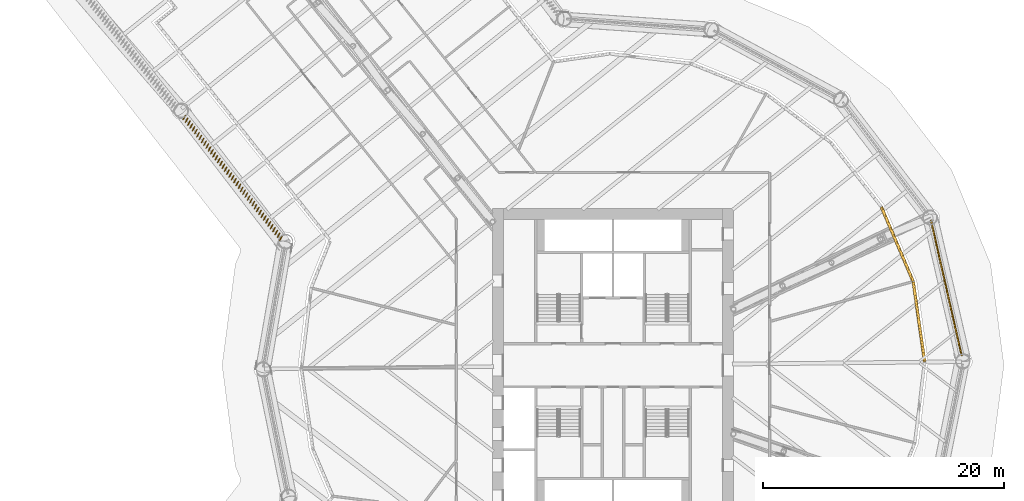
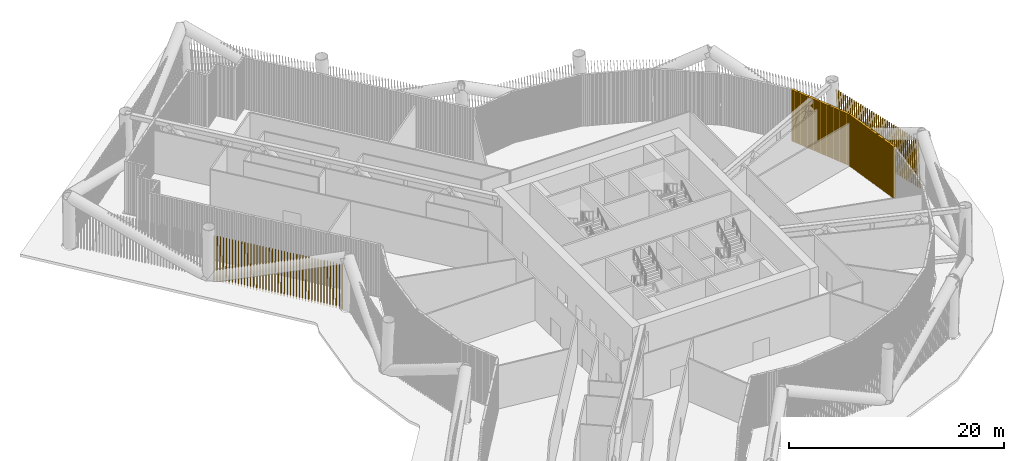
# One storey, part 43 of 48: 4 shading devices.
"""IFC4 building model written with IfcOpenShell, lengths in metres."""

from ifc_helpers import new_model, si_unit, direction, frame, frame_2d, origin, place, context, subcontext, project, spatial, rectangle, composite_profile, extrude, material, type_object, element, save


model = new_model("IFC4")

# Units and contexts
model_context = context("Model", 3, precision=1e-05, world=origin(), true_north=direction((0.0, 1.0)))
body_context = subcontext(model_context, "Body", "Model", "MODEL_VIEW")
ifc_project = project(units=[si_unit("LENGTHUNIT", "METRE"), si_unit("AREAUNIT", "SQUARE_METRE"), si_unit("VOLUMEUNIT", "CUBIC_METRE"), si_unit("PLANEANGLEUNIT", "RADIAN"), si_unit("MASSUNIT", "GRAM", prefix="KILO")], contexts=[model_context])

# Site, building, storey
site_placement = place(None, origin())
site = spatial("IfcSite", under=ifc_project, at=site_placement, CompositionType="ELEMENT")
building_placement = place(site_placement, origin())
building = spatial("IfcBuilding", under=site, at=building_placement, Name="Tarsis Ring Headquarters", CompositionType="ELEMENT")
storey_placement = place(building_placement, frame((0.0, 0.0, 34.0)))
storey = spatial("IfcBuildingStorey", under=building, at=storey_placement, Name="L06", CompositionType="ELEMENT", Elevation=34.0)

# Shading devices
ifc_material_1 = material(Name="Aluminium louvre", Category="aluminium")
shading_device_type_1 = type_object("IfcShadingDeviceType", Name="Plant louvre fin", PredefinedType="USERDEFINED", material=ifc_material_1)
shading_device_1_placement = place(storey_placement, frame((25.8701171875, 0.287353515625, 0.0), z_axis=(0.0, 0.0, 1.0), x_axis=(-0.140895717555, 0.990011260034, 0.0)))
element("IfcShadingDevice", 1, at=shading_device_1_placement, inside=storey, type_object=shading_device_type_1, Name="Louvre L06-24", ObjectType="Louvre", PredefinedType="USERDEFINED", context=body_context, shape_type="SweptSolid", body=[
    extrude(composite_profile([rectangle(XDim=0.1201171875, YDim=0.239990234375, at=frame_2d((0.076171875, 0.0), x_axis=(0.990268068742, 0.13917310096))), rectangle(XDim=0.1201171875, YDim=0.239990234375, at=frame_2d((0.202392578125, 0.0), x_axis=(0.990268068742, 0.13917310096))), rectangle(XDim=0.1201171875, YDim=0.239990234375, at=frame_2d((0.328857421875, 0.0), x_axis=(0.990268068742, 0.13917310096))), rectangle(XDim=0.1201171875, YDim=0.239990234375, at=frame_2d((0.455078125, 0.0), x_axis=(0.990268068742, 0.13917310096))), rectangle(XDim=0.1201171875, YDim=0.239990234375, at=frame_2d((0.58154296875, 0.0), x_axis=(0.990268068742, 0.13917310096))), rectangle(XDim=0.1201171875, YDim=0.239990234375, at=frame_2d((0.707763671875, 0.0), x_axis=(0.990268068742, 0.13917310096))), rectangle(XDim=0.1201171875, YDim=0.239990234375, at=frame_2d((0.834228515625, 0.0), x_axis=(0.990268068742, 0.13917310096))), rectangle(XDim=0.1201171875, YDim=0.239990234375, at=frame_2d((0.96044921875, 0.0), x_axis=(0.990268068742, 0.13917310096))), rectangle(XDim=0.1201171875, YDim=0.239990234375, at=frame_2d((1.0869140625, 0.0), x_axis=(0.990268068742, 0.13917310096))), rectangle(XDim=0.1201171875, YDim=0.239990234375, at=frame_2d((1.213134765625, 0.0), x_axis=(0.990268068742, 0.13917310096))), rectangle(XDim=0.1201171875, YDim=0.239990234375, at=frame_2d((1.33935546875, 0.0), x_axis=(0.990268068742, 0.13917310096))), rectangle(XDim=0.1201171875, YDim=0.239990234375, at=frame_2d((1.4658203125, 0.0), x_axis=(0.990268068742, 0.13917310096))), rectangle(XDim=0.1201171875, YDim=0.239990234375, at=frame_2d((1.592041015625, 0.0), x_axis=(0.990268068742, 0.13917310096))), rectangle(XDim=0.1201171875, YDim=0.239990234375, at=frame_2d((1.718505859375, 0.0), x_axis=(0.990268068742, 0.13917310096))), rectangle(XDim=0.1201171875, YDim=0.239990234375, at=frame_2d((1.8447265625, 0.0), x_axis=(0.990268068742, 0.13917310096))), rectangle(XDim=0.1201171875, YDim=0.239990234375, at=frame_2d((1.97119140625, 0.0), x_axis=(0.990268068742, 0.13917310096))), rectangle(XDim=0.1201171875, YDim=0.239990234375, at=frame_2d((2.097412109375, 0.0), x_axis=(0.990268068742, 0.13917310096))), rectangle(XDim=0.1201171875, YDim=0.239990234375, at=frame_2d((2.223876953125, 0.0), x_axis=(0.990268068742, 0.13917310096))), rectangle(XDim=0.1201171875, YDim=0.239990234375, at=frame_2d((2.35009765625, 0.0), x_axis=(0.990268068742, 0.13917310096))), rectangle(XDim=0.1201171875, YDim=0.239990234375, at=frame_2d((2.476318359375, 0.0), x_axis=(0.990268068742, 0.13917310096))), rectangle(XDim=0.1201171875, YDim=0.239990234375, at=frame_2d((2.602783203125, 0.0), x_axis=(0.990268068742, 0.13917310096))), rectangle(XDim=0.1201171875, YDim=0.239990234375, at=frame_2d((2.72900390625, 0.0), x_axis=(0.990268068742, 0.13917310096))), rectangle(XDim=0.1201171875, YDim=0.239990234375, at=frame_2d((2.85546875, 0.0), x_axis=(0.990268068742, 0.13917310096))), rectangle(XDim=0.1201171875, YDim=0.239990234375, at=frame_2d((2.981689453125, 0.0), x_axis=(0.990268068742, 0.13917310096))), rectangle(XDim=0.1201171875, YDim=0.239990234375, at=frame_2d((3.108154296875, 0.0), x_axis=(0.990268068742, 0.13917310096))), rectangle(XDim=0.1201171875, YDim=0.239990234375, at=frame_2d((3.234375, 0.0), x_axis=(0.990268068742, 0.13917310096))), rectangle(XDim=0.1201171875, YDim=0.239990234375, at=frame_2d((3.36083984375, 0.0), x_axis=(0.990268068742, 0.13917310096))), rectangle(XDim=0.1201171875, YDim=0.239990234375, at=frame_2d((3.487060546875, 0.0), x_axis=(0.990268068742, 0.13917310096))), rectangle(XDim=0.1201171875, YDim=0.239990234375, at=frame_2d((3.61328125, 0.0), x_axis=(0.990268068742, 0.13917310096))), rectangle(XDim=0.1201171875, YDim=0.239990234375, at=frame_2d((3.73974609375, 0.0), x_axis=(0.990268068742, 0.13917310096))), rectangle(XDim=0.1201171875, YDim=0.239990234375, at=frame_2d((3.865966796875, 0.0), x_axis=(0.990268068742, 0.13917310096))), rectangle(XDim=0.1201171875, YDim=0.239990234375, at=frame_2d((3.992431640625, 0.0), x_axis=(0.990268068742, 0.13917310096))), rectangle(XDim=0.1201171875, YDim=0.239990234375, at=frame_2d((4.11865234375, 0.0), x_axis=(0.990268068742, 0.13917310096))), rectangle(XDim=0.1201171875, YDim=0.239990234375, at=frame_2d((4.2451171875, 0.0), x_axis=(0.990268068742, 0.13917310096))), rectangle(XDim=0.1201171875, YDim=0.239990234375, at=frame_2d((4.371337890625, 0.0), x_axis=(0.990268068742, 0.13917310096))), rectangle(XDim=0.1201171875, YDim=0.239990234375, at=frame_2d((4.49755859375, 0.0), x_axis=(0.990268068742, 0.13917310096))), rectangle(XDim=0.1201171875, YDim=0.239990234375, at=frame_2d((4.6240234375, 0.0), x_axis=(0.990268068742, 0.13917310096))), rectangle(XDim=0.1201171875, YDim=0.239990234375, at=frame_2d((4.750244140625, 0.0), x_axis=(0.990268068742, 0.13917310096))), rectangle(XDim=0.1201171875, YDim=0.239990234375, at=frame_2d((4.876708984375, 0.0), x_axis=(0.990268068742, 0.13917310096))), rectangle(XDim=0.1201171875, YDim=0.239990234375, at=frame_2d((5.0029296875, 0.0), x_axis=(0.990268068742, 0.13917310096))), rectangle(XDim=0.1201171875, YDim=0.239990234375, at=frame_2d((5.12939453125, 0.0), x_axis=(0.990268068742, 0.13917310096))), rectangle(XDim=0.1201171875, YDim=0.239990234375, at=frame_2d((5.255615234375, 0.0), x_axis=(0.990268068742, 0.13917310096))), rectangle(XDim=0.1201171875, YDim=0.239990234375, at=frame_2d((5.382080078125, 0.0), x_axis=(0.990268068742, 0.13917310096))), rectangle(XDim=0.1201171875, YDim=0.239990234375, at=frame_2d((5.50830078125, 0.0), x_axis=(0.990268068742, 0.13917310096))), rectangle(XDim=0.1201171875, YDim=0.239990234375, at=frame_2d((5.634521484375, 0.0), x_axis=(0.990268068742, 0.13917310096))), rectangle(XDim=0.1201171875, YDim=0.239990234375, at=frame_2d((5.760986328125, 0.0), x_axis=(0.990268068742, 0.13917310096))), rectangle(XDim=0.1201171875, YDim=0.239990234375, at=frame_2d((5.88720703125, 0.0), x_axis=(0.990268068742, 0.13917310096))), rectangle(XDim=0.1201171875, YDim=0.239990234375, at=frame_2d((6.013671875, 0.0), x_axis=(0.990268068742, 0.13917310096))), rectangle(XDim=0.1201171875, YDim=0.239990234375, at=frame_2d((6.139892578125, 0.0), x_axis=(0.990268068742, 0.13917310096))), rectangle(XDim=0.1201171875, YDim=0.239990234375, at=frame_2d((6.266357421875, 0.0), x_axis=(0.990268068742, 0.13917310096))), rectangle(XDim=0.1201171875, YDim=0.239990234375, at=frame_2d((6.392578125, 0.0), x_axis=(0.990268068742, 0.13917310096))), rectangle(XDim=0.1201171875, YDim=0.239990234375, at=frame_2d((6.51904296875, 0.0), x_axis=(0.990268068742, 0.13917310096))), rectangle(XDim=0.1201171875, YDim=0.239990234375, at=frame_2d((6.645263671875, 0.0), x_axis=(0.990268068742, 0.13917310096)))]), origin(), (0.0, 0.0, 1.0), 5.840087890625),
])
shading_device_2_placement = place(storey_placement, frame((24.914306640625, 6.97314453125, 0.0), z_axis=(0.0, 0.0, 1.0), x_axis=(-0.392321383168, 0.919835821438, 0.0)))
element("IfcShadingDevice", 2, at=shading_device_2_placement, inside=storey, type_object=shading_device_type_1, Name="Louvre L06-25", ObjectType="Louvre", PredefinedType="USERDEFINED", context=body_context, shape_type="SweptSolid", body=[
    extrude(composite_profile([rectangle(XDim=0.1201171875, YDim=0.239990234375, at=frame_2d((0.076171875, 0.0), x_axis=(0.990268068742, 0.13917310096))), rectangle(XDim=0.1201171875, YDim=0.239990234375, at=frame_2d((0.202392578125, 0.0), x_axis=(0.990268068742, 0.13917310096))), rectangle(XDim=0.1201171875, YDim=0.239990234375, at=frame_2d((0.328857421875, 0.0), x_axis=(0.990268068742, 0.13917310096))), rectangle(XDim=0.1201171875, YDim=0.239990234375, at=frame_2d((0.455078125, 0.0), x_axis=(0.990268068742, 0.13917310096))), rectangle(XDim=0.1201171875, YDim=0.239990234375, at=frame_2d((0.58154296875, 0.0), x_axis=(0.990268068742, 0.13917310096))), rectangle(XDim=0.1201171875, YDim=0.239990234375, at=frame_2d((0.707763671875, 0.0), x_axis=(0.990268068742, 0.13917310096))), rectangle(XDim=0.1201171875, YDim=0.239990234375, at=frame_2d((0.834228515625, 0.0), x_axis=(0.990268068742, 0.13917310096))), rectangle(XDim=0.1201171875, YDim=0.239990234375, at=frame_2d((0.96044921875, 0.0), x_axis=(0.990268068742, 0.13917310096))), rectangle(XDim=0.1201171875, YDim=0.239990234375, at=frame_2d((1.0869140625, 0.0), x_axis=(0.990268068742, 0.13917310096))), rectangle(XDim=0.1201171875, YDim=0.239990234375, at=frame_2d((1.213134765625, 0.0), x_axis=(0.990268068742, 0.13917310096))), rectangle(XDim=0.1201171875, YDim=0.239990234375, at=frame_2d((1.33935546875, 0.0), x_axis=(0.990268068742, 0.13917310096))), rectangle(XDim=0.1201171875, YDim=0.239990234375, at=frame_2d((1.4658203125, 0.0), x_axis=(0.990268068742, 0.13917310096))), rectangle(XDim=0.1201171875, YDim=0.239990234375, at=frame_2d((1.592041015625, 0.0), x_axis=(0.990268068742, 0.13917310096))), rectangle(XDim=0.1201171875, YDim=0.239990234375, at=frame_2d((1.718505859375, 0.0), x_axis=(0.990268068742, 0.13917310096))), rectangle(XDim=0.1201171875, YDim=0.239990234375, at=frame_2d((1.8447265625, 0.0), x_axis=(0.990268068742, 0.13917310096))), rectangle(XDim=0.1201171875, YDim=0.239990234375, at=frame_2d((1.97119140625, 0.0), x_axis=(0.990268068742, 0.13917310096))), rectangle(XDim=0.1201171875, YDim=0.239990234375, at=frame_2d((2.097412109375, 0.0), x_axis=(0.990268068742, 0.13917310096))), rectangle(XDim=0.1201171875, YDim=0.239990234375, at=frame_2d((2.223876953125, 0.0), x_axis=(0.990268068742, 0.13917310096))), rectangle(XDim=0.1201171875, YDim=0.239990234375, at=frame_2d((2.35009765625, 0.0), x_axis=(0.990268068742, 0.13917310096))), rectangle(XDim=0.1201171875, YDim=0.239990234375, at=frame_2d((2.476318359375, 0.0), x_axis=(0.990268068742, 0.13917310096))), rectangle(XDim=0.1201171875, YDim=0.239990234375, at=frame_2d((2.602783203125, 0.0), x_axis=(0.990268068742, 0.13917310096))), rectangle(XDim=0.1201171875, YDim=0.239990234375, at=frame_2d((2.72900390625, 0.0), x_axis=(0.990268068742, 0.13917310096))), rectangle(XDim=0.1201171875, YDim=0.239990234375, at=frame_2d((2.85546875, 0.0), x_axis=(0.990268068742, 0.13917310096))), rectangle(XDim=0.1201171875, YDim=0.239990234375, at=frame_2d((2.981689453125, 0.0), x_axis=(0.990268068742, 0.13917310096))), rectangle(XDim=0.1201171875, YDim=0.239990234375, at=frame_2d((3.108154296875, 0.0), x_axis=(0.990268068742, 0.13917310096))), rectangle(XDim=0.1201171875, YDim=0.239990234375, at=frame_2d((3.234375, 0.0), x_axis=(0.990268068742, 0.13917310096))), rectangle(XDim=0.1201171875, YDim=0.239990234375, at=frame_2d((3.36083984375, 0.0), x_axis=(0.990268068742, 0.13917310096))), rectangle(XDim=0.1201171875, YDim=0.239990234375, at=frame_2d((3.487060546875, 0.0), x_axis=(0.990268068742, 0.13917310096))), rectangle(XDim=0.1201171875, YDim=0.239990234375, at=frame_2d((3.61328125, 0.0), x_axis=(0.990268068742, 0.13917310096))), rectangle(XDim=0.1201171875, YDim=0.239990234375, at=frame_2d((3.73974609375, 0.0), x_axis=(0.990268068742, 0.13917310096))), rectangle(XDim=0.1201171875, YDim=0.239990234375, at=frame_2d((3.865966796875, 0.0), x_axis=(0.990268068742, 0.13917310096))), rectangle(XDim=0.1201171875, YDim=0.239990234375, at=frame_2d((3.992431640625, 0.0), x_axis=(0.990268068742, 0.13917310096))), rectangle(XDim=0.1201171875, YDim=0.239990234375, at=frame_2d((4.11865234375, 0.0), x_axis=(0.990268068742, 0.13917310096))), rectangle(XDim=0.1201171875, YDim=0.239990234375, at=frame_2d((4.2451171875, 0.0), x_axis=(0.990268068742, 0.13917310096))), rectangle(XDim=0.1201171875, YDim=0.239990234375, at=frame_2d((4.371337890625, 0.0), x_axis=(0.990268068742, 0.13917310096))), rectangle(XDim=0.1201171875, YDim=0.239990234375, at=frame_2d((4.49755859375, 0.0), x_axis=(0.990268068742, 0.13917310096))), rectangle(XDim=0.1201171875, YDim=0.239990234375, at=frame_2d((4.6240234375, 0.0), x_axis=(0.990268068742, 0.13917310096))), rectangle(XDim=0.1201171875, YDim=0.239990234375, at=frame_2d((4.750244140625, 0.0), x_axis=(0.990268068742, 0.13917310096))), rectangle(XDim=0.1201171875, YDim=0.239990234375, at=frame_2d((4.876708984375, 0.0), x_axis=(0.990268068742, 0.13917310096))), rectangle(XDim=0.1201171875, YDim=0.239990234375, at=frame_2d((5.0029296875, 0.0), x_axis=(0.990268068742, 0.13917310096))), rectangle(XDim=0.1201171875, YDim=0.239990234375, at=frame_2d((5.12939453125, 0.0), x_axis=(0.990268068742, 0.13917310096))), rectangle(XDim=0.1201171875, YDim=0.239990234375, at=frame_2d((5.255615234375, 0.0), x_axis=(0.990268068742, 0.13917310096))), rectangle(XDim=0.1201171875, YDim=0.239990234375, at=frame_2d((5.382080078125, 0.0), x_axis=(0.990268068742, 0.13917310096))), rectangle(XDim=0.1201171875, YDim=0.239990234375, at=frame_2d((5.50830078125, 0.0), x_axis=(0.990268068742, 0.13917310096))), rectangle(XDim=0.1201171875, YDim=0.239990234375, at=frame_2d((5.634521484375, 0.0), x_axis=(0.990268068742, 0.13917310096))), rectangle(XDim=0.1201171875, YDim=0.239990234375, at=frame_2d((5.760986328125, 0.0), x_axis=(0.990268068742, 0.13917310096))), rectangle(XDim=0.1201171875, YDim=0.239990234375, at=frame_2d((5.88720703125, 0.0), x_axis=(0.990268068742, 0.13917310096))), rectangle(XDim=0.1201171875, YDim=0.239990234375, at=frame_2d((6.013671875, 0.0), x_axis=(0.990268068742, 0.13917310096))), rectangle(XDim=0.1201171875, YDim=0.239990234375, at=frame_2d((6.139892578125, 0.0), x_axis=(0.990268068742, 0.13917310096))), rectangle(XDim=0.1201171875, YDim=0.239990234375, at=frame_2d((6.266357421875, 0.0), x_axis=(0.990268068742, 0.13917310096))), rectangle(XDim=0.1201171875, YDim=0.239990234375, at=frame_2d((6.392578125, 0.0), x_axis=(0.990268068742, 0.13917310096))), rectangle(XDim=0.1201171875, YDim=0.239990234375, at=frame_2d((6.51904296875, 0.0), x_axis=(0.990268068742, 0.13917310096))), rectangle(XDim=0.1201171875, YDim=0.239990234375, at=frame_2d((6.645263671875, 0.0), x_axis=(0.990268068742, 0.13917310096)))]), origin(), (0.0, 0.0, 1.0), 5.840087890625),
])
ifc_material_2 = material(Name="Terracotta baguette", Category="masonry")
shading_device_type_2 = type_object("IfcShadingDeviceType", Name="Terracotta baguette screen", PredefinedType="USERDEFINED", material=ifc_material_2)
shading_device_3_placement = place(storey_placement, frame((28.936279296875, 0.791748046875, -0.300048828125), z_axis=(0.0, 0.0, 1.0), x_axis=(-0.221047834013, 0.975258268947, 0.0)))
element("IfcShadingDevice", 3, at=shading_device_3_placement, inside=storey, type_object=shading_device_type_2, Name="Baguette screen L06-11", ObjectType="Terracotta baguette screen", PredefinedType="USERDEFINED", context=body_context, shape_type="SweptSolid", body=[
    extrude(composite_profile([rectangle(XDim=0.06005859375, YDim=0.1201171875, at=frame_2d((0.030029296875, 0.0))), rectangle(XDim=0.06005859375, YDim=0.1201171875, at=frame_2d((0.33251953125, 0.0))), rectangle(XDim=0.06005859375, YDim=0.1201171875, at=frame_2d((0.634765625, 0.0))), rectangle(XDim=0.06005859375, YDim=0.1201171875, at=frame_2d((0.937255859375, 0.0))), rectangle(XDim=0.06005859375, YDim=0.1201171875, at=frame_2d((1.239501953125, 0.0))), rectangle(XDim=0.06005859375, YDim=0.1201171875, at=frame_2d((1.5419921875, 0.0))), rectangle(XDim=0.06005859375, YDim=0.1201171875, at=frame_2d((1.844482421875, 0.0))), rectangle(XDim=0.06005859375, YDim=0.1201171875, at=frame_2d((2.146728515625, 0.0))), rectangle(XDim=0.06005859375, YDim=0.1201171875, at=frame_2d((2.44921875, 0.0))), rectangle(XDim=0.06005859375, YDim=0.1201171875, at=frame_2d((2.751708984375, 0.0))), rectangle(XDim=0.06005859375, YDim=0.1201171875, at=frame_2d((3.053955078125, 0.0))), rectangle(XDim=0.06005859375, YDim=0.1201171875, at=frame_2d((3.3564453125, 0.0))), rectangle(XDim=0.06005859375, YDim=0.1201171875, at=frame_2d((3.65869140625, 0.0))), rectangle(XDim=0.06005859375, YDim=0.1201171875, at=frame_2d((3.961181640625, 0.0))), rectangle(XDim=0.06005859375, YDim=0.1201171875, at=frame_2d((4.263671875, 0.0))), rectangle(XDim=0.06005859375, YDim=0.1201171875, at=frame_2d((4.56591796875, 0.0))), rectangle(XDim=0.06005859375, YDim=0.1201171875, at=frame_2d((4.868408203125, 0.0))), rectangle(XDim=0.06005859375, YDim=0.1201171875, at=frame_2d((5.1708984375, 0.0))), rectangle(XDim=0.06005859375, YDim=0.1201171875, at=frame_2d((5.47314453125, 0.0))), rectangle(XDim=0.06005859375, YDim=0.1201171875, at=frame_2d((5.775634765625, 0.0))), rectangle(XDim=0.06005859375, YDim=0.1201171875, at=frame_2d((6.077880859375, 0.0))), rectangle(XDim=0.06005859375, YDim=0.1201171875, at=frame_2d((6.38037109375, 0.0))), rectangle(XDim=0.06005859375, YDim=0.1201171875, at=frame_2d((6.682861328125, 0.0))), rectangle(XDim=0.06005859375, YDim=0.1201171875, at=frame_2d((6.985107421875, 0.0))), rectangle(XDim=0.06005859375, YDim=0.1201171875, at=frame_2d((7.28759765625, 0.0))), rectangle(XDim=0.06005859375, YDim=0.1201171875, at=frame_2d((7.590087890625, 0.0))), rectangle(XDim=0.06005859375, YDim=0.1201171875, at=frame_2d((7.892333984375, 0.0))), rectangle(XDim=0.06005859375, YDim=0.1201171875, at=frame_2d((8.19482421875, 0.0))), rectangle(XDim=0.06005859375, YDim=0.1201171875, at=frame_2d((8.4970703125, 0.0))), rectangle(XDim=0.06005859375, YDim=0.1201171875, at=frame_2d((8.799560546875, 0.0))), rectangle(XDim=0.06005859375, YDim=0.1201171875, at=frame_2d((9.10205078125, 0.0))), rectangle(XDim=0.06005859375, YDim=0.1201171875, at=frame_2d((9.404296875, 0.0))), rectangle(XDim=0.06005859375, YDim=0.1201171875, at=frame_2d((9.706787109375, 0.0))), rectangle(XDim=0.06005859375, YDim=0.1201171875, at=frame_2d((10.00927734375, 0.0))), rectangle(XDim=0.06005859375, YDim=0.1201171875, at=frame_2d((10.3115234375, 0.0))), rectangle(XDim=0.06005859375, YDim=0.1201171875, at=frame_2d((10.614013671875, 0.0))), rectangle(XDim=0.06005859375, YDim=0.1201171875, at=frame_2d((10.916259765625, 0.0))), rectangle(XDim=0.06005859375, YDim=0.1201171875, at=frame_2d((11.21875, 0.0)))]), origin(), (0.055467769833, 0.00029102911, 0.998460435777), 5.36083984375),
])
shading_device_4_placement = place(storey_placement, frame((-35.52197265625, 20.775146484375, -0.300048828125), z_axis=(0.0, 0.0, 1.0), x_axis=(0.623876473594, -0.781520237667, 0.0)))
element("IfcShadingDevice", 4, at=shading_device_4_placement, inside=storey, type_object=shading_device_type_2, Name="Baguette screen L06-20", ObjectType="Terracotta baguette screen", PredefinedType="USERDEFINED", context=body_context, shape_type="SweptSolid", body=[
    extrude(composite_profile([rectangle(XDim=0.06005859375, YDim=0.1201171875, at=frame_2d((0.030029296875, 0.0))), rectangle(XDim=0.06005859375, YDim=0.1201171875, at=frame_2d((0.335693359375, 0.0))), rectangle(XDim=0.06005859375, YDim=0.1201171875, at=frame_2d((0.6416015625, 0.0))), rectangle(XDim=0.06005859375, YDim=0.1201171875, at=frame_2d((0.947265625, 0.0))), rectangle(XDim=0.06005859375, YDim=0.1201171875, at=frame_2d((1.253173828125, 0.0))), rectangle(XDim=0.06005859375, YDim=0.1201171875, at=frame_2d((1.558837890625, 0.0))), rectangle(XDim=0.06005859375, YDim=0.1201171875, at=frame_2d((1.864501953125, 0.0))), rectangle(XDim=0.06005859375, YDim=0.1201171875, at=frame_2d((2.17041015625, 0.0))), rectangle(XDim=0.06005859375, YDim=0.1201171875, at=frame_2d((2.47607421875, 0.0))), rectangle(XDim=0.06005859375, YDim=0.1201171875, at=frame_2d((2.781982421875, 0.0))), rectangle(XDim=0.06005859375, YDim=0.1201171875, at=frame_2d((3.087646484375, 0.0))), rectangle(XDim=0.06005859375, YDim=0.1201171875, at=frame_2d((3.393310546875, 0.0))), rectangle(XDim=0.06005859375, YDim=0.1201171875, at=frame_2d((3.69921875, 0.0))), rectangle(XDim=0.06005859375, YDim=0.1201171875, at=frame_2d((4.0048828125, 0.0))), rectangle(XDim=0.06005859375, YDim=0.1201171875, at=frame_2d((4.310791015625, 0.0))), rectangle(XDim=0.06005859375, YDim=0.1201171875, at=frame_2d((4.616455078125, 0.0))), rectangle(XDim=0.06005859375, YDim=0.1201171875, at=frame_2d((4.922119140625, 0.0))), rectangle(XDim=0.06005859375, YDim=0.1201171875, at=frame_2d((5.22802734375, 0.0))), rectangle(XDim=0.06005859375, YDim=0.1201171875, at=frame_2d((5.53369140625, 0.0))), rectangle(XDim=0.06005859375, YDim=0.1201171875, at=frame_2d((5.839599609375, 0.0))), rectangle(XDim=0.06005859375, YDim=0.1201171875, at=frame_2d((6.145263671875, 0.0))), rectangle(XDim=0.06005859375, YDim=0.1201171875, at=frame_2d((6.451171875, 0.0))), rectangle(XDim=0.06005859375, YDim=0.1201171875, at=frame_2d((6.7568359375, 0.0))), rectangle(XDim=0.06005859375, YDim=0.1201171875, at=frame_2d((7.0625, 0.0))), rectangle(XDim=0.06005859375, YDim=0.1201171875, at=frame_2d((7.368408203125, 0.0))), rectangle(XDim=0.06005859375, YDim=0.1201171875, at=frame_2d((7.674072265625, 0.0))), rectangle(XDim=0.06005859375, YDim=0.1201171875, at=frame_2d((7.97998046875, 0.0))), rectangle(XDim=0.06005859375, YDim=0.1201171875, at=frame_2d((8.28564453125, 0.0))), rectangle(XDim=0.06005859375, YDim=0.1201171875, at=frame_2d((8.59130859375, 0.0))), rectangle(XDim=0.06005859375, YDim=0.1201171875, at=frame_2d((8.897216796875, 0.0))), rectangle(XDim=0.06005859375, YDim=0.1201171875, at=frame_2d((9.202880859375, 0.0))), rectangle(XDim=0.06005859375, YDim=0.1201171875, at=frame_2d((9.5087890625, 0.0))), rectangle(XDim=0.06005859375, YDim=0.1201171875, at=frame_2d((9.814453125, 0.0))), rectangle(XDim=0.06005859375, YDim=0.1201171875, at=frame_2d((10.1201171875, 0.0))), rectangle(XDim=0.06005859375, YDim=0.1201171875, at=frame_2d((10.426025390625, 0.0))), rectangle(XDim=0.06005859375, YDim=0.1201171875, at=frame_2d((10.731689453125, 0.0))), rectangle(XDim=0.06005859375, YDim=0.1201171875, at=frame_2d((11.03759765625, 0.0))), rectangle(XDim=0.06005859375, YDim=0.1201171875, at=frame_2d((11.34326171875, 0.0))), rectangle(XDim=0.06005859375, YDim=0.1201171875, at=frame_2d((11.64892578125, 0.0))), rectangle(XDim=0.06005859375, YDim=0.1201171875, at=frame_2d((11.954833984375, 0.0))), rectangle(XDim=0.06005859375, YDim=0.1201171875, at=frame_2d((12.260498046875, 0.0))), rectangle(XDim=0.06005859375, YDim=0.1201171875, at=frame_2d((12.56640625, 0.0))), rectangle(XDim=0.06005859375, YDim=0.1201171875, at=frame_2d((12.8720703125, 0.0)))]), origin(), (0.029213030829, -0.06220161016, 0.997635984978), 5.365234375),
])

save(model, "model.ifc")
